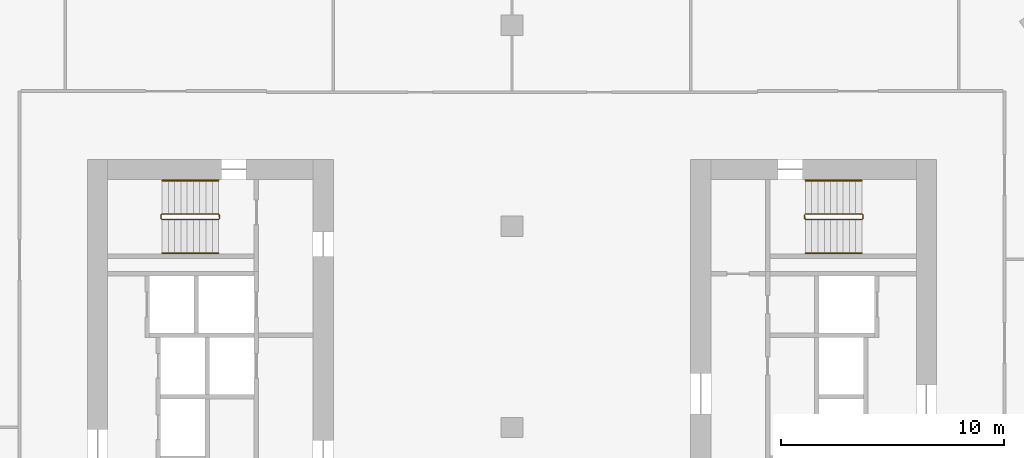
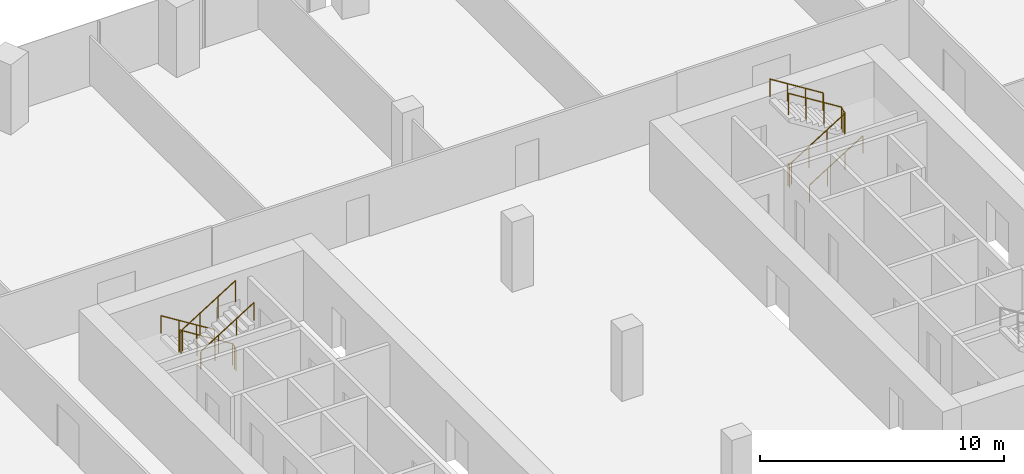
# One storey, part 26 of 27: 6 railings.
"""IFC4 building model written with IfcOpenShell, lengths in metres."""

import ifcopenshell
import ifcopenshell.guid

model = None  # the IFC model being written
_history = None  # IfcOwnerHistory: only IFC2X3 demands one
_inside = {}  # id of a spatial element -> (the spatial element, [elements in it])
_under = {}  # id of a project, library or spatial element -> (it, [spatial elements below it])
_declared = {}  # id of a project -> (the project, [libraries it declares])
_typed = {}  # id of a type object -> (the type object, [elements of that type])
_made_of = {}  # id of a material, layer set ... -> (it, [elements and type objects made of it])


def new_model(schema):
    """Start an empty IFC model of exactly this schema.

    Asked for "IFC4X3", IfcOpenShell would pick the latest addendum, in which some entities
    have other attributes; the version numbers below select the first issue.
    IFC2X3 requires an IfcOwnerHistory on every rooted entity: one is made here for all.
    """
    global model, _history
    if schema == "IFC4X3":
        model = ifcopenshell.file(schema_version=(4, 3, 0, 0))
    else:
        model = ifcopenshell.file(schema=schema)
    _inside.clear()
    _under.clear()
    _declared.clear()
    _typed.clear()
    _made_of.clear()
    _history = None
    if model.schema == "IFC2X3":
        org = make("IfcOrganization", Name="unknown")
        user = make(
            "IfcPersonAndOrganization",
            ThePerson=make("IfcPerson", FamilyName="unknown"),
            TheOrganization=org,
        )
        app = make(
            "IfcApplication",
            ApplicationDeveloper=org,
            Version="unknown",
            ApplicationFullName="unknown",
            ApplicationIdentifier="unknown",
        )
        _history = make(
            "IfcOwnerHistory",
            OwningUser=user,
            OwningApplication=app,
            ChangeAction="ADDED",
            CreationDate=0,
        )
    return model


def make(cls, **values):
    """One entity of the class cls with the attributes given. An attribute that is None is left unset."""
    return model.create_entity(
        cls, **{name: value for name, value in values.items() if value is not None}
    )


def rooted(cls, **values):
    """An entity with a GlobalId (a new one), such as an element, a storey or a relation."""
    return make(cls, GlobalId=ifcopenshell.guid.new(), OwnerHistory=_history, **values)


def si_unit(unit_type, name, prefix=None):
    """IfcSIUnit, for example si_unit("LENGTHUNIT", "METRE", prefix="MILLI")."""
    return make("IfcSIUnit", UnitType=unit_type, Prefix=prefix, Name=name)


def assignment(units):
    """IfcUnitAssignment: the units of a project."""
    return None if units is None else make("IfcUnitAssignment", Units=units)


def point(xyz):
    """IfcCartesianPoint."""
    return None if xyz is None else make("IfcCartesianPoint", Coordinates=xyz)


def direction(xyz):
    """IfcDirection."""
    return None if xyz is None else make("IfcDirection", DirectionRatios=xyz)


def frame(location, z_axis=None, x_axis=None):
    """IfcAxis2Placement3D, a coordinate frame: its origin and axes. An axis left out is left unset."""
    return make(
        "IfcAxis2Placement3D",
        Location=point(location),
        Axis=direction(z_axis),
        RefDirection=direction(x_axis),
    )


def frame_2d(location, x_axis=None):
    """IfcAxis2Placement2D, a coordinate frame in the plane: its origin and x axis."""
    return make(
        "IfcAxis2Placement2D", Location=point(location), RefDirection=direction(x_axis)
    )


def origin():
    """The frame at (0, 0, 0) with its axes left unset."""
    return frame((0.0, 0.0, 0.0))


def origin_2d():
    """The frame at (0, 0) in the plane with its x axis left unset."""
    return frame_2d((0.0, 0.0))


def place(relative_to, where):
    """IfcLocalPlacement: puts the frame where relative to a parent placement (None: the world)."""
    return make(
        "IfcLocalPlacement", PlacementRelTo=relative_to, RelativePlacement=where
    )


def context(
    kind, dimensions, precision=None, world=None, true_north=None, identifier=None
):
    """IfcGeometricRepresentationContext, for example the 3D "Model" context."""
    return make(
        "IfcGeometricRepresentationContext",
        ContextIdentifier=identifier,
        ContextType=kind,
        CoordinateSpaceDimension=dimensions,
        Precision=precision,
        WorldCoordinateSystem=world,
        TrueNorth=true_north,
    )


def subcontext(parent, identifier, kind, view, scale=None):
    """IfcGeometricRepresentationSubContext, for example "Body" below "Model"."""
    return make(
        "IfcGeometricRepresentationSubContext",
        ContextIdentifier=identifier,
        ContextType=kind,
        ParentContext=parent,
        TargetScale=scale,
        TargetView=view,
    )


def project(units=None, contexts=None):
    """IfcProject with its units and contexts."""
    return rooted(
        "IfcProject",
        Name="project",
        RepresentationContexts=contexts,
        UnitsInContext=assignment(units),
    )


def spatial(cls, under=None, at=None, **own):
    """A site, building, storey or space (cls), placed at a placement, below another one or the project."""
    s = rooted(cls, ObjectPlacement=at, **own)
    if under is not None:
        _under.setdefault(under.id(), (under, []))[1].append(s)
    return s


def profile(cls, at=None, kind="AREA", **sizes):
    """A parametric profile (cls). Its sizes go by their IFC names, for example OverallWidth=200.0."""
    return make(cls, ProfileType=kind, Position=at, **sizes)


def circle(**sizes):
    """IfcCircleProfileDef."""
    return profile("IfcCircleProfileDef", **sizes)


def extrude(swept, where, along, depth):
    """IfcExtrudedAreaSolid: the profile swept, set in the frame where, extruded along a direction by depth."""
    return make(
        "IfcExtrudedAreaSolid",
        SweptArea=swept,
        Position=where,
        ExtrudedDirection=direction(along),
        Depth=depth,
    )


def shape(context_of_items, identifier, shape_type, items):
    """IfcShapeRepresentation: the items that make up one representation, for example the "Body"."""
    return make(
        "IfcShapeRepresentation",
        ContextOfItems=context_of_items,
        RepresentationIdentifier=identifier,
        RepresentationType=shape_type,
        Items=items,
    )


def material(Name=None, Category=None):
    """IfcMaterial."""
    return make("IfcMaterial", Name=Name, Category=Category)


def made_of(thing, what):
    """Note that an element or type object is made of a material, layer set ...; save() writes the relation."""
    if what is not None:
        _made_of.setdefault(what.id(), (what, []))[1].append(thing)
    return thing


def type_object(cls, material=None, **own):
    """A type object (cls), such as IfcWallType, which elements share."""
    return made_of(rooted(cls, **own), material)


def element(
    cls,
    number,
    at=None,
    inside=None,
    cuts=None,
    type_object=None,
    material=None,
    context=None,
    identifier="Body",
    shape_type=None,
    held_by="IfcProductDefinitionShape",
    body=None,
    shapes=None,
    **own,
):
    """One element of the class cls, such as IfcWall. Its Tag is "e" and its number.

    at: its placement. inside: the storey or other place that contains it. cuts: it is an
    opening in that element (IfcRelVoidsElement). A single representation is given by context,
    identifier, shape_type and body (its items); several are given by shapes. held_by: the class
    of the entity that holds the representations. save() writes the other relations.
    """
    e = rooted(cls, Tag="e%d" % number, ObjectPlacement=at, **own)
    if body is not None:
        shapes = [shape(context, identifier, shape_type, body)]
    if shapes is not None:
        e.Representation = make(held_by, Representations=shapes)
    if inside is not None:
        _inside.setdefault(inside.id(), (inside, []))[1].append(e)
    if cuts is not None:
        rooted(
            "IfcRelVoidsElement", RelatingBuildingElement=cuts, RelatedOpeningElement=e
        )
    if type_object is not None:
        _typed.setdefault(type_object.id(), (type_object, []))[1].append(e)
    return made_of(e, material)


def aggregate(whole, parts):
    """IfcRelAggregates: a whole, such as a stair, and the parts it consists of."""
    return rooted("IfcRelAggregates", RelatingObject=whole, RelatedObjects=parts)


def save(model, path):
    """Write the relations noted so far, then the file.

    IfcRelAggregates (storeys below a building ...), IfcRelContainedInSpatialStructure (elements
    in a storey), IfcRelDefinesByType, IfcRelAssociatesMaterial and IfcRelDeclares: one each for
    every whole, place, type object, material and project.
    """
    for whole, parts in _under.values():
        aggregate(whole, parts)
    for where, things in _inside.values():
        rooted(
            "IfcRelContainedInSpatialStructure",
            RelatedElements=things,
            RelatingStructure=where,
        )
    for kind, things in _typed.values():
        rooted("IfcRelDefinesByType", RelatedObjects=things, RelatingType=kind)
    for what, things in _made_of.values():
        rooted("IfcRelAssociatesMaterial", RelatedObjects=things, RelatingMaterial=what)
    for by, libraries in _declared.values():
        rooted("IfcRelDeclares", RelatingContext=by, RelatedDefinitions=libraries)
    model.write(path)


model = new_model("IFC4")

# Units and contexts
model_context = context("Model", 3, precision=1e-05, world=origin(), true_north=direction((0.0, 1.0)))
body_context = subcontext(model_context, "Body", "Model", "MODEL_VIEW")
ifc_project = project(units=[si_unit("LENGTHUNIT", "METRE"), si_unit("AREAUNIT", "SQUARE_METRE"), si_unit("VOLUMEUNIT", "CUBIC_METRE"), si_unit("PLANEANGLEUNIT", "RADIAN"), si_unit("MASSUNIT", "GRAM", prefix="KILO")], contexts=[model_context])

# Site, building, storey
site_placement = place(None, origin())
site = spatial("IfcSite", under=ifc_project, at=site_placement, CompositionType="ELEMENT")
building_placement = place(site_placement, origin())
building = spatial("IfcBuilding", under=site, at=building_placement, Name="Orlundy Tower", CompositionType="ELEMENT")
storey_placement = place(building_placement, frame((0.0, 0.0, 199.10009765625)))
storey = spatial("IfcBuildingStorey", under=building, at=storey_placement, Name="L52", CompositionType="ELEMENT", Elevation=199.10009765625)

# Railings
ifc_material_1 = material(Name="Steel balustrade", Category="steel")
railing_type_1 = type_object("IfcRailingType", Name="Stair Guard 1100", PredefinedType="GUARDRAIL", material=ifc_material_1)
railing_1_placement = place(storey_placement, frame((-13.090087890625, 9.5, 0.0)))
element("IfcRailing", 1, at=railing_1_placement, inside=storey, type_object=railing_type_1, Name="L52 ST-W1 stair guard 1", PredefinedType="GUARDRAIL", context=body_context, shape_type="SweptSolid", body=[
    extrude(circle(Radius=0.02392578125, at=origin_2d()), frame((0.0, 0.0, 1.076171875), z_axis=(0.0, -1.0, 0.0), x_axis=(1.0, 0.0, 0.0)), (0.0, 0.0, 1.0), 0.14990234375),
    extrude(circle(Radius=0.02392578125, at=origin_2d()), frame((0.0, -0.14990234375, 1.076171875), z_axis=(-0.184313129624, 0.739963005698, 0.646902945152), x_axis=(-0.970351222016, -0.241699205484, 0.0)), (0.0, 0.0, 1.0), 0.270263671875),
    extrude(circle(Radius=0.02392578125, at=origin_2d()), frame((-0.0498046875, 0.050048828125, 1.2509765625), z_axis=(-0.847970611238, 0.0, 0.530043245855), x_axis=(0.0, -1.0, 0.0)), (0.0, 0.0, 1.0), 2.971923828125),
    extrude(circle(Radius=0.02392578125, at=origin_2d()), frame((-2.56982421875, 0.050048828125, 2.826171875), z_axis=(-0.707106781187, -0.707106781187, 0.0), x_axis=(0.707106781187, -0.707106781187, 0.0)), (0.0, 0.0, 1.0), 0.07080078125),
    extrude(circle(Radius=0.02392578125, at=origin_2d()), frame((-2.619873046875, 0.0, 2.826171875), z_axis=(0.0, -1.0, 0.0), x_axis=(1.0, 0.0, 0.0)), (0.0, 0.0, 1.0), 0.14990234375),
    extrude(circle(Radius=0.02392578125, at=origin_2d()), frame((-2.619873046875, -0.14990234375, 2.826171875), z_axis=(0.265383341853, -0.265383341853, 0.926899867156), x_axis=(0.707106781187, 0.707106781187, 0.0)), (0.0, 0.0, 1.0), 0.1884765625),
    extrude(circle(Radius=0.02392578125, at=origin_2d()), frame((-2.56982421875, -0.199951171875, 3.0009765625), z_axis=(0.847970611238, 0.0, 0.530043245855), x_axis=(0.0, 1.0, 0.0)), (0.0, 0.0, 1.0), 2.971923828125),
    extrude(circle(Radius=0.02099609375, at=origin_2d()), origin(), (0.0, 0.0, 1.0), 1.052001953125),
    extrude(circle(Radius=0.02099609375, at=origin_2d()), frame((0.0, -0.14990234375, 0.0)), (0.0, 0.0, 1.0), 1.052001953125),
    extrude(circle(Radius=0.02099609375, at=origin_2d()), frame((-0.0498046875, 0.050048828125, 0.1748046875)), (0.0, 0.0, 1.0), 1.052001953125),
    extrude(circle(Radius=0.02099609375, at=origin_2d()), frame((-0.889892578125, 0.050048828125, 0.699951171875)), (0.0, 0.0, 1.0), 1.052001953125),
    extrude(circle(Radius=0.02099609375, at=origin_2d()), frame((-1.729736328125, 0.050048828125, 1.224853515625)), (0.0, 0.0, 1.0), 1.052001953125),
    extrude(circle(Radius=0.02099609375, at=origin_2d()), frame((-2.56982421875, 0.050048828125, 1.75)), (0.0, 0.0, 1.0), 1.052001953125),
    extrude(circle(Radius=0.02099609375, at=origin_2d()), frame((-2.619873046875, 0.0, 1.75)), (0.0, 0.0, 1.0), 1.052001953125),
    extrude(circle(Radius=0.02099609375, at=origin_2d()), frame((-2.619873046875, -0.14990234375, 1.75)), (0.0, 0.0, 1.0), 1.052001953125),
    extrude(circle(Radius=0.02099609375, at=origin_2d()), frame((-2.56982421875, -0.199951171875, 1.9248046875)), (0.0, 0.0, 1.0), 1.052001953125),
    extrude(circle(Radius=0.02099609375, at=origin_2d()), frame((-1.729736328125, -0.199951171875, 2.449951171875)), (0.0, 0.0, 1.0), 1.052001953125),
    extrude(circle(Radius=0.02099609375, at=origin_2d()), frame((-0.889892578125, -0.199951171875, 2.974853515625)), (0.0, 0.0, 1.0), 1.052001953125),
    extrude(circle(Radius=0.02099609375, at=origin_2d()), frame((-0.0498046875, -0.199951171875, 3.5)), (0.0, 0.0, 1.0), 1.052001953125),
])
railing_2_placement = place(storey_placement, frame((13.090087890625, 9.35009765625, 0.0)))
element("IfcRailing", 2, at=railing_2_placement, inside=storey, type_object=railing_type_1, Name="L52 ST-E2 stair guard 1", PredefinedType="GUARDRAIL", context=body_context, shape_type="SweptSolid", body=[
    extrude(circle(Radius=0.02392578125, at=origin_2d()), frame((0.0, 0.0, 1.076171875), z_axis=(0.0, 1.0, 0.0), x_axis=(-1.0, 0.0, 0.0)), (0.0, 0.0, 1.0), 0.14990234375),
    extrude(circle(Radius=0.02392578125, at=origin_2d()), frame((0.0, 0.14990234375, 1.076171875), z_axis=(0.184313129624, -0.739963005698, 0.646902945152), x_axis=(0.970351222016, 0.241699205484, 0.0)), (0.0, 0.0, 1.0), 0.270263671875),
    extrude(circle(Radius=0.02392578125, at=origin_2d()), frame((0.0498046875, -0.050048828125, 1.2509765625), z_axis=(0.847970611238, 0.0, 0.530043245855), x_axis=(0.0, 1.0, 0.0)), (0.0, 0.0, 1.0), 2.971923828125),
    extrude(circle(Radius=0.02392578125, at=origin_2d()), frame((2.56982421875, -0.050048828125, 2.826171875), z_axis=(0.707106781187, 0.707106781187, 0.0), x_axis=(-0.707106781187, 0.707106781187, 0.0)), (0.0, 0.0, 1.0), 0.07080078125),
    extrude(circle(Radius=0.02392578125, at=origin_2d()), frame((2.619873046875, 0.0, 2.826171875), z_axis=(0.0, 1.0, 0.0), x_axis=(-1.0, 0.0, 0.0)), (0.0, 0.0, 1.0), 0.14990234375),
    extrude(circle(Radius=0.02392578125, at=origin_2d()), frame((2.619873046875, 0.14990234375, 2.826171875), z_axis=(-0.265383341853, 0.265383341853, 0.926899867156), x_axis=(-0.707106781187, -0.707106781187, 0.0)), (0.0, 0.0, 1.0), 0.1884765625),
    extrude(circle(Radius=0.02392578125, at=origin_2d()), frame((2.56982421875, 0.199951171875, 3.0009765625), z_axis=(-0.847970611238, 0.0, 0.530043245855), x_axis=(0.0, -1.0, 0.0)), (0.0, 0.0, 1.0), 2.971923828125),
    extrude(circle(Radius=0.02099609375, at=origin_2d()), origin(), (0.0, 0.0, 1.0), 1.052001953125),
    extrude(circle(Radius=0.02099609375, at=origin_2d()), frame((0.0, 0.14990234375, 0.0)), (0.0, 0.0, 1.0), 1.052001953125),
    extrude(circle(Radius=0.02099609375, at=origin_2d()), frame((0.0498046875, -0.050048828125, 0.1748046875)), (0.0, 0.0, 1.0), 1.052001953125),
    extrude(circle(Radius=0.02099609375, at=origin_2d()), frame((0.889892578125, -0.050048828125, 0.699951171875)), (0.0, 0.0, 1.0), 1.052001953125),
    extrude(circle(Radius=0.02099609375, at=origin_2d()), frame((1.729736328125, -0.050048828125, 1.224853515625)), (0.0, 0.0, 1.0), 1.052001953125),
    extrude(circle(Radius=0.02099609375, at=origin_2d()), frame((2.56982421875, -0.050048828125, 1.75)), (0.0, 0.0, 1.0), 1.052001953125),
    extrude(circle(Radius=0.02099609375, at=origin_2d()), frame((2.619873046875, 0.0, 1.75)), (0.0, 0.0, 1.0), 1.052001953125),
    extrude(circle(Radius=0.02099609375, at=origin_2d()), frame((2.619873046875, 0.14990234375, 1.75)), (0.0, 0.0, 1.0), 1.052001953125),
    extrude(circle(Radius=0.02099609375, at=origin_2d()), frame((2.56982421875, 0.199951171875, 1.9248046875)), (0.0, 0.0, 1.0), 1.052001953125),
    extrude(circle(Radius=0.02099609375, at=origin_2d()), frame((1.729736328125, 0.199951171875, 2.449951171875)), (0.0, 0.0, 1.0), 1.052001953125),
    extrude(circle(Radius=0.02099609375, at=origin_2d()), frame((0.889892578125, 0.199951171875, 2.974853515625)), (0.0, 0.0, 1.0), 1.052001953125),
    extrude(circle(Radius=0.02099609375, at=origin_2d()), frame((0.0498046875, 0.199951171875, 3.5)), (0.0, 0.0, 1.0), 1.052001953125),
])
ifc_material_2 = material(Name="Steel handrail", Category="steel")
railing_type_2 = type_object("IfcRailingType", Name="Stair Handrail 900", PredefinedType="HANDRAIL", material=ifc_material_2)
railing_3_placement = place(storey_placement, frame((-13.139892578125, 11.050048828125, 0.1748046875)))
element("IfcRailing", 3, at=railing_3_placement, inside=storey, type_object=railing_type_2, Name="L52 ST-W1 stair handrail 1", PredefinedType="HANDRAIL", context=body_context, shape_type="SweptSolid", body=[
    extrude(circle(Radius=0.02392578125, at=origin_2d()), frame((0.0, 0.0, 0.8759765625), z_axis=(-0.847970611238, 0.0, 0.530043245855), x_axis=(0.0, -1.0, 0.0)), (0.0, 0.0, 1.0), 2.971923828125),
    extrude(circle(Radius=0.02099609375, at=origin_2d()), origin(), (0.0, 0.0, 1.0), 0.851806640625),
    extrude(circle(Radius=0.02099609375, at=origin_2d()), frame((-0.840087890625, 0.0, 0.525146484375)), (0.0, 0.0, 1.0), 0.851806640625),
    extrude(circle(Radius=0.02099609375, at=origin_2d()), frame((-1.679931640625, 0.0, 1.050048828125)), (0.0, 0.0, 1.0), 0.851806640625),
    extrude(circle(Radius=0.02099609375, at=origin_2d()), frame((-2.52001953125, 0.0, 1.5751953125)), (0.0, 0.0, 1.0), 0.851806640625),
])
for number, where, name in (
    (4, (-15.659912109375, 7.800048828125, 1.9248046875), "L52 ST-W1 stair handrail 2"),
    (5, (13.139892578125, 7.800048828125, 0.1748046875), "L52 ST-E2 stair handrail 1"),
):
    element("IfcRailing", number, at=place(storey_placement, frame(where)), inside=storey, type_object=railing_type_2, Name=name, PredefinedType="HANDRAIL", context=body_context, shape_type="SweptSolid", body=[
        extrude(circle(Radius=0.02392578125, at=origin_2d()), frame((0.0, 0.0, 0.8759765625), z_axis=(0.847970611238, 0.0, 0.530043245855), x_axis=(0.0, 1.0, 0.0)), (0.0, 0.0, 1.0), 2.971923828125),
        extrude(circle(Radius=0.02099609375, at=origin_2d()), origin(), (0.0, 0.0, 1.0), 0.851806640625),
        extrude(circle(Radius=0.02099609375, at=origin_2d()), frame((0.840087890625, 0.0, 0.525146484375)), (0.0, 0.0, 1.0), 0.851806640625),
        extrude(circle(Radius=0.02099609375, at=origin_2d()), frame((1.679931640625, 0.0, 1.050048828125)), (0.0, 0.0, 1.0), 0.851806640625),
        extrude(circle(Radius=0.02099609375, at=origin_2d()), frame((2.52001953125, 0.0, 1.5751953125)), (0.0, 0.0, 1.0), 0.851806640625),
    ])
railing_4_placement = place(storey_placement, frame((15.659912109375, 11.050048828125, 1.9248046875)))
element("IfcRailing", 6, at=railing_4_placement, inside=storey, type_object=railing_type_2, Name="L52 ST-E2 stair handrail 2", PredefinedType="HANDRAIL", context=body_context, shape_type="SweptSolid", body=[
    extrude(circle(Radius=0.02392578125, at=origin_2d()), frame((0.0, 0.0, 0.8759765625), z_axis=(-0.847970611238, 0.0, 0.530043245855), x_axis=(0.0, -1.0, 0.0)), (0.0, 0.0, 1.0), 2.971923828125),
    extrude(circle(Radius=0.02099609375, at=origin_2d()), origin(), (0.0, 0.0, 1.0), 0.851806640625),
    extrude(circle(Radius=0.02099609375, at=origin_2d()), frame((-0.840087890625, 0.0, 0.525146484375)), (0.0, 0.0, 1.0), 0.851806640625),
    extrude(circle(Radius=0.02099609375, at=origin_2d()), frame((-1.679931640625, 0.0, 1.050048828125)), (0.0, 0.0, 1.0), 0.851806640625),
    extrude(circle(Radius=0.02099609375, at=origin_2d()), frame((-2.52001953125, 0.0, 1.5751953125)), (0.0, 0.0, 1.0), 0.851806640625),
])

save(model, "model.ifc")
